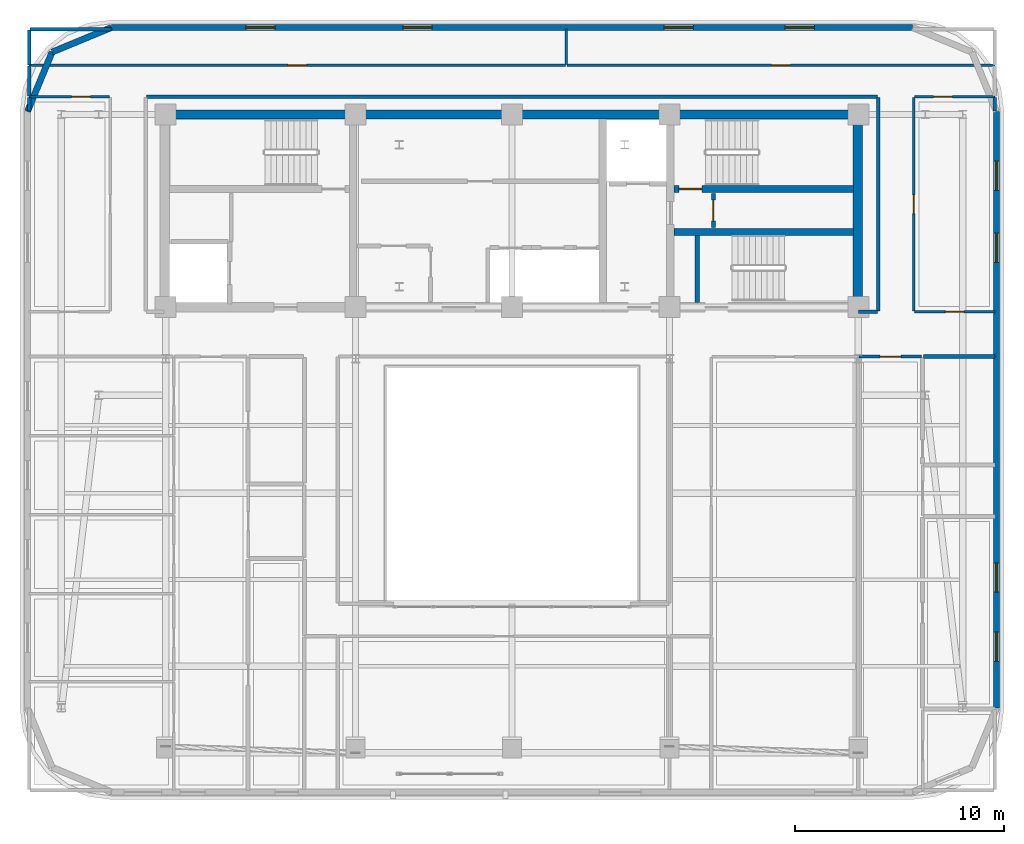
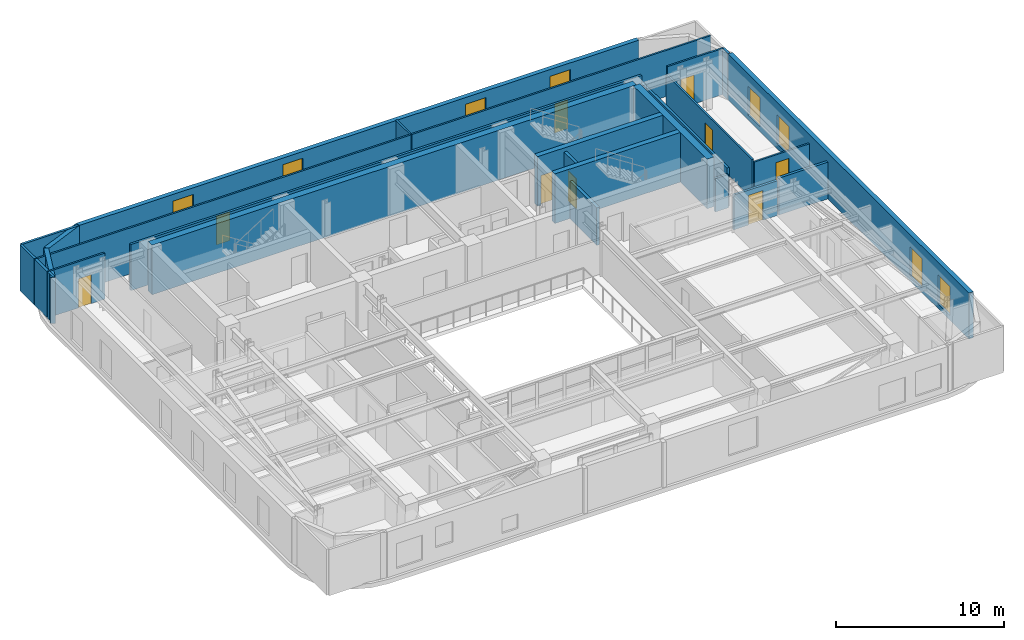
# One storey, part 9 of 14: 27 walls, 9 doors, 8 windows, 17 openings.
"""IFC4 building model written with IfcOpenShell, lengths in metres."""

from ifc_helpers import new_model, si_unit, direction, frame, frame_2d, origin, place, context, subcontext, project, spatial, rectangle, extrude, material, layer, layer_set, type_object, element, fill, save


model = new_model("IFC4")

# Units and contexts
model_context = context("Model", 3, precision=1e-05, world=origin(), true_north=direction((0.0, 1.0)))
body_context = subcontext(model_context, "Body", "Model", "MODEL_VIEW")
ifc_project = project(units=[si_unit("LENGTHUNIT", "METRE"), si_unit("AREAUNIT", "SQUARE_METRE"), si_unit("VOLUMEUNIT", "CUBIC_METRE"), si_unit("PLANEANGLEUNIT", "RADIAN"), si_unit("MASSUNIT", "GRAM", prefix="KILO")], contexts=[model_context])

# Site, building, storey
site_placement = place(None, origin())
site = spatial("IfcSite", under=ifc_project, at=site_placement, CompositionType="ELEMENT")
building_placement = place(site_placement, origin())
building = spatial("IfcBuilding", under=site, at=building_placement, Name="Zarnavel Station Tower", CompositionType="ELEMENT")
storey_placement = place(building_placement, frame((0.0, 0.0, 214.800048828125)))
storey = spatial("IfcBuildingStorey", under=building, at=storey_placement, Name="L58", CompositionType="ELEMENT", Elevation=214.800048828125)

# Wall, opening, door
ifc_material_1 = material(Name="Concrete C50/60", Category="concrete")
ifc_layer_1 = layer(ifc_material_1, 0.35009765625)
ifc_layer_set_1 = layer_set([ifc_layer_1], Name="CW_350")
wall_type_1 = type_object("IfcWallType", Name="CW_350", PredefinedType="SHEAR", material=ifc_layer_set_1)
wall_1_placement = place(storey_placement, frame((45.155029296875, 33.47998046875, 0.0), z_axis=(0.0, 0.0, 1.0), x_axis=(-1.0, 0.0, 0.0)))
wall_1 = element("IfcWall", 1, at=wall_1_placement, inside=storey, type_object=wall_type_1, Name="L58 Rear Core Shear Wall DIV-H2", PredefinedType="SHEAR", context=body_context, shape_type="SweptSolid", body=[
    extrude(rectangle(XDim=8.60009765625, YDim=0.35009765625, at=frame_2d((4.300048828125, 0.0))), origin(), (0.0, 0.0, 1.0), 3.599853515625),
])
opening_1_placement = place(wall_1_placement, frame((7.2548828125, 0.0, 0.0)))
opening_1 = element("IfcOpeningElement", 2, at=opening_1_placement, cuts=wall_1, Name="Opening FD01", PredefinedType="OPENING", context=body_context, shape_type="SweptSolid", body=[
    extrude(rectangle(XDim=1.10009765625, YDim=2.14990234375, at=frame_2d((0.550048828125, 1.074951171875))), frame((0.0, 0.18505859375, 0.0), z_axis=(0.0, -1.0, 0.0), x_axis=(1.0, 0.0, 0.0)), (0.0, 0.0, 1.0), 0.3701171875),
])
ifc_material_2 = material(Name="Painted Galvanised Steel and Hardwood Leaf", Category="steel")
door_type_1 = type_object("IfcDoorType", Name="ID_STAIR_1100", OperationType="NOTDEFINED", PredefinedType="DOOR", material=ifc_material_2)
door_1_placement = place(opening_1_placement, origin())
door_1 = element("IfcDoor", 3, at=door_1_placement, inside=storey, type_object=door_type_1, Name="L58 Stair ST2 Lobby Fire Door", OperationType="SINGLE_SWING_RIGHT", OverallHeight=2.14990234375, OverallWidth=1.10009765625, PredefinedType="DOOR", context=body_context, shape_type="SweptSolid", body=[
    extrude(rectangle(XDim=1.10009765625, YDim=2.14990234375, at=frame_2d((0.550048828125, 1.074951171875))), frame((0.0, 0.02490234375, 0.0), z_axis=(0.0, -1.0, 0.0), x_axis=(1.0, 0.0, 0.0)), (0.0, 0.0, 1.0), 0.050048828125),
])
fill(opening_1, door_1)

# Walls
wall_2_placement = place(storey_placement, frame((36.554931640625, 31.419921875, 0.0), z_axis=(0.0, 0.0, 1.0), x_axis=(1.0, 0.0, 0.0)))
element("IfcWall", 4, at=wall_2_placement, inside=storey, type_object=wall_type_1, Name="L58 Rear Core Shear Wall DIV-H3", PredefinedType="SHEAR", context=body_context, shape_type="SweptSolid", body=[
    extrude(rectangle(XDim=8.60009765625, YDim=0.35009765625, at=frame_2d((4.300048828125, 0.0))), origin(), (0.0, 0.0, 1.0), 3.599853515625),
])
ifc_material_3 = material(Name="Concrete C50/60", Category="concrete")
ifc_layer_2 = layer(ifc_material_3, 0.449951171875)
ifc_layer_set_2 = layer_set([ifc_layer_2], Name="CW_450")
wall_type_2 = type_object("IfcWallType", Name="CW_450", PredefinedType="SHEAR", material=ifc_layer_set_2)
wall_3_placement = place(storey_placement, frame((12.14990234375, 37.050048828125, 0.0), z_axis=(0.0, 0.0, 1.0), x_axis=(1.0, 0.0, 0.0)))
element("IfcWall", 5, at=wall_3_placement, inside=storey, type_object=wall_type_2, Name="L58 Rear Core Shear Wall N", PredefinedType="SHEAR", context=body_context, shape_type="SweptSolid", body=[
    extrude(rectangle(XDim=33.22998046875, YDim=0.449951171875, at=frame_2d((16.614990234375, 0.0))), origin(), (0.0, 0.0, 1.0), 3.599853515625),
])
wall_4_placement = place(storey_placement, frame((45.3798828125, 28.044921875, 0.0), z_axis=(0.0, 0.0, 1.0), x_axis=(0.0, 1.0, 0.0)))
element("IfcWall", 6, at=wall_4_placement, inside=storey, type_object=wall_type_2, Name="L58 Rear Core Shear Wall E", PredefinedType="SHEAR", context=body_context, shape_type="SweptSolid", body=[
    extrude(rectangle(XDim=8.780029296875, YDim=0.449951171875, at=frame_2d((4.39013671875, 0.0))), origin(), (0.0, 0.0, 1.0), 3.599853515625),
])

# Wall, openings, windows
ifc_material_4 = material(Name="Precast concrete C45/55 (Dark Basalt Finish)", Category="masonry")
ifc_layer_3 = layer(ifc_material_4, 0.300048828125)
ifc_layer_set_3 = layer_set([ifc_layer_3], Name="EW_BASALT_300")
wall_type_3 = type_object("IfcWallType", Name="EW_BASALT_300", PredefinedType="SOLIDWALL", material=ifc_layer_set_3)
wall_5_placement = place(storey_placement, frame((52.02001953125, 37.199951171875, 0.0), z_axis=(0.0, 0.0, 1.0), x_axis=(0.0, -1.0, 0.0)))
wall_5 = element("IfcWall", 7, at=wall_5_placement, inside=storey, type_object=wall_type_3, Name="L58 Exterior Basalt Masonry Frame Wall 03", PredefinedType="SOLIDWALL", context=body_context, shape_type="SweptSolid", body=[
    extrude(rectangle(XDim=28.599853515625, YDim=0.300048828125, at=frame_2d((14.2998046875, 0.0))), origin(), (0.0, 0.0, 1.0), 3.33984375),
])
opening_2_placement = place(wall_5_placement, frame((2.3798828125, 0.0, 0.340087890625)))
opening_2 = element("IfcOpeningElement", 8, at=opening_2_placement, cuts=wall_5, Name="Opening WN04", PredefinedType="OPENING", context=body_context, shape_type="SweptSolid", body=[
    extrude(rectangle(XDim=1.39990234375, YDim=2.10009765625, at=frame_2d((0.699951171875, 1.050048828125))), frame((0.0, 0.159912109375, 0.0), z_axis=(0.0, -1.0, 0.0), x_axis=(1.0, 0.0, 0.0)), (0.0, 0.0, 1.0), 0.320068359375),
])
opening_3_placement = place(wall_5_placement, frame((5.840087890625, 0.0, 0.340087890625)))
opening_3 = element("IfcOpeningElement", 9, at=opening_3_placement, cuts=wall_5, Name="Opening WN04", PredefinedType="OPENING", context=body_context, shape_type="SweptSolid", body=[
    extrude(rectangle(XDim=1.39990234375, YDim=2.10009765625, at=frame_2d((0.699951171875, 1.050048828125))), frame((0.0, 0.159912109375, 0.0), z_axis=(0.0, -1.0, 0.0), x_axis=(1.0, 0.0, 0.0)), (0.0, 0.0, 1.0), 0.320068359375),
])
opening_4_placement = place(wall_5_placement, frame((21.634765625, 0.0, 0.340087890625)))
opening_4 = element("IfcOpeningElement", 10, at=opening_4_placement, cuts=wall_5, Name="Opening WN04", PredefinedType="OPENING", context=body_context, shape_type="SweptSolid", body=[
    extrude(rectangle(XDim=1.39990234375, YDim=2.10009765625, at=frame_2d((0.699951171875, 1.050048828125))), frame((0.0, 0.159912109375, 0.0), z_axis=(0.0, -1.0, 0.0), x_axis=(1.0, 0.0, 0.0)), (0.0, 0.0, 1.0), 0.320068359375),
])
opening_5_placement = place(wall_5_placement, frame((24.957275390625, 0.0, 0.340087890625)))
opening_5 = element("IfcOpeningElement", 11, at=opening_5_placement, cuts=wall_5, Name="Opening WN04", PredefinedType="OPENING", context=body_context, shape_type="SweptSolid", body=[
    extrude(rectangle(XDim=1.39990234375, YDim=2.10009765625, at=frame_2d((0.699951171875, 1.050048828125))), frame((0.0, 0.159912109375, 0.0), z_axis=(0.0, -1.0, 0.0), x_axis=(1.0, 0.0, 0.0)), (0.0, 0.0, 1.0), 0.320068359375),
])
ifc_material_5 = material(Name="Thermally Broken Black Aluminium and Low-E Dark Glass", Category="aluminium")
window_type = type_object("IfcWindowType", Name="WN_1400x2100", PartitioningType="DOUBLE_PANEL_VERTICAL", PredefinedType="WINDOW", material=ifc_material_5)
window_1_placement = place(opening_2_placement, origin())
window_1 = element("IfcWindow", 12, at=window_1_placement, inside=storey, type_object=window_type, Name="L58 Recessed Facade Window 01", OverallHeight=2.10009765625, OverallWidth=1.39990234375, PartitioningType="SINGLE_PANEL", PredefinedType="WINDOW", context=body_context, shape_type="SweptSolid", body=[
    extrude(rectangle(XDim=1.39990234375, YDim=2.10009765625, at=frame_2d((0.699951171875, 1.050048828125))), frame((0.0, 0.030029296875, 0.0), z_axis=(0.0, -1.0, 0.0), x_axis=(1.0, 0.0, 0.0)), (0.0, 0.0, 1.0), 0.06005859375),
])
fill(opening_2, window_1)
window_2_placement = place(opening_3_placement, origin())
window_2 = element("IfcWindow", 13, at=window_2_placement, inside=storey, type_object=window_type, Name="L58 Recessed Facade Window 02", OverallHeight=2.10009765625, OverallWidth=1.39990234375, PartitioningType="SINGLE_PANEL", PredefinedType="WINDOW", context=body_context, shape_type="SweptSolid", body=[
    extrude(rectangle(XDim=1.39990234375, YDim=2.10009765625, at=frame_2d((0.699951171875, 1.050048828125))), frame((0.0, 0.030029296875, 0.0), z_axis=(0.0, -1.0, 0.0), x_axis=(1.0, 0.0, 0.0)), (0.0, 0.0, 1.0), 0.06005859375),
])
fill(opening_3, window_2)
window_3_placement = place(opening_4_placement, origin())
window_3 = element("IfcWindow", 14, at=window_3_placement, inside=storey, type_object=window_type, Name="L58 Recessed Facade Window 03", OverallHeight=2.10009765625, OverallWidth=1.39990234375, PartitioningType="SINGLE_PANEL", PredefinedType="WINDOW", context=body_context, shape_type="SweptSolid", body=[
    extrude(rectangle(XDim=1.39990234375, YDim=2.10009765625, at=frame_2d((0.699951171875, 1.050048828125))), frame((0.0, 0.030029296875, 0.0), z_axis=(0.0, -1.0, 0.0), x_axis=(1.0, 0.0, 0.0)), (0.0, 0.0, 1.0), 0.06005859375),
])
fill(opening_4, window_3)
window_4_placement = place(opening_5_placement, origin())
window_4 = element("IfcWindow", 15, at=window_4_placement, inside=storey, type_object=window_type, Name="L58 Recessed Facade Window 04", OverallHeight=2.10009765625, OverallWidth=1.39990234375, PartitioningType="SINGLE_PANEL", PredefinedType="WINDOW", context=body_context, shape_type="SweptSolid", body=[
    extrude(rectangle(XDim=1.39990234375, YDim=2.10009765625, at=frame_2d((0.699951171875, 1.050048828125))), frame((0.0, 0.030029296875, 0.0), z_axis=(0.0, -1.0, 0.0), x_axis=(1.0, 0.0, 0.0)), (0.0, 0.0, 1.0), 0.06005859375),
])
fill(opening_5, window_4)

wall_6_placement = place(storey_placement, frame((9.60009765625, 41.219970703125, 0.0), z_axis=(0.0, 0.0, 1.0), x_axis=(1.0, 0.0, 0.0)))
wall_6 = element("IfcWall", 16, at=wall_6_placement, inside=storey, type_object=wall_type_3, Name="L58 Exterior Basalt Masonry Frame Wall 06", PredefinedType="SOLIDWALL", context=body_context, shape_type="SweptSolid", body=[
    extrude(rectangle(XDim=38.39990234375, YDim=0.300048828125, at=frame_2d((19.199951171875, 0.0))), origin(), (0.0, 0.0, 1.0), 3.33984375),
])
opening_6_placement = place(wall_6_placement, frame((6.44677734375, 0.0, 0.75)))
opening_6 = element("IfcOpeningElement", 17, at=opening_6_placement, cuts=wall_6, Name="Opening WN04", PredefinedType="OPENING", context=body_context, shape_type="SweptSolid", body=[
    extrude(rectangle(XDim=1.39990234375, YDim=2.10009765625, at=frame_2d((0.699951171875, 1.050048828125))), frame((0.0, 0.159912109375, 0.0), z_axis=(0.0, -1.0, 0.0), x_axis=(1.0, 0.0, 0.0)), (0.0, 0.0, 1.0), 0.320068359375),
])
opening_7_placement = place(wall_6_placement, frame((13.973388671875, 0.0, 0.75)))
opening_7 = element("IfcOpeningElement", 18, at=opening_7_placement, cuts=wall_6, Name="Opening WN04", PredefinedType="OPENING", context=body_context, shape_type="SweptSolid", body=[
    extrude(rectangle(XDim=1.39990234375, YDim=2.10009765625, at=frame_2d((0.699951171875, 1.050048828125))), frame((0.0, 0.159912109375, 0.0), z_axis=(0.0, -1.0, 0.0), x_axis=(1.0, 0.0, 0.0)), (0.0, 0.0, 1.0), 0.320068359375),
])
opening_8_placement = place(wall_6_placement, frame((26.493408203125, 0.0, 0.75)))
opening_8 = element("IfcOpeningElement", 19, at=opening_8_placement, cuts=wall_6, Name="Opening WN04", PredefinedType="OPENING", context=body_context, shape_type="SweptSolid", body=[
    extrude(rectangle(XDim=1.39990234375, YDim=2.10009765625, at=frame_2d((0.699951171875, 1.050048828125))), frame((0.0, 0.159912109375, 0.0), z_axis=(0.0, -1.0, 0.0), x_axis=(1.0, 0.0, 0.0)), (0.0, 0.0, 1.0), 0.320068359375),
])
opening_9_placement = place(wall_6_placement, frame((32.28662109375, 0.0, 0.75)))
opening_9 = element("IfcOpeningElement", 20, at=opening_9_placement, cuts=wall_6, Name="Opening WN04", PredefinedType="OPENING", context=body_context, shape_type="SweptSolid", body=[
    extrude(rectangle(XDim=1.39990234375, YDim=2.10009765625, at=frame_2d((0.699951171875, 1.050048828125))), frame((0.0, 0.159912109375, 0.0), z_axis=(0.0, -1.0, 0.0), x_axis=(1.0, 0.0, 0.0)), (0.0, 0.0, 1.0), 0.320068359375),
])
window_5_placement = place(opening_6_placement, origin())
window_5 = element("IfcWindow", 21, at=window_5_placement, inside=storey, type_object=window_type, Name="L58 Recessed Facade Window 01", OverallHeight=2.10009765625, OverallWidth=1.39990234375, PartitioningType="SINGLE_PANEL", PredefinedType="WINDOW", context=body_context, shape_type="SweptSolid", body=[
    extrude(rectangle(XDim=1.39990234375, YDim=2.10009765625, at=frame_2d((0.699951171875, 1.050048828125))), frame((0.0, 0.030029296875, 0.0), z_axis=(0.0, -1.0, 0.0), x_axis=(1.0, 0.0, 0.0)), (0.0, 0.0, 1.0), 0.06005859375),
])
fill(opening_6, window_5)
window_6_placement = place(opening_7_placement, origin())
window_6 = element("IfcWindow", 22, at=window_6_placement, inside=storey, type_object=window_type, Name="L58 Recessed Facade Window 02", OverallHeight=2.10009765625, OverallWidth=1.39990234375, PartitioningType="SINGLE_PANEL", PredefinedType="WINDOW", context=body_context, shape_type="SweptSolid", body=[
    extrude(rectangle(XDim=1.39990234375, YDim=2.10009765625, at=frame_2d((0.699951171875, 1.050048828125))), frame((0.0, 0.030029296875, 0.0), z_axis=(0.0, -1.0, 0.0), x_axis=(1.0, 0.0, 0.0)), (0.0, 0.0, 1.0), 0.06005859375),
])
fill(opening_7, window_6)
window_7_placement = place(opening_8_placement, origin())
window_7 = element("IfcWindow", 23, at=window_7_placement, inside=storey, type_object=window_type, Name="L58 Recessed Facade Window 03", OverallHeight=2.10009765625, OverallWidth=1.39990234375, PartitioningType="SINGLE_PANEL", PredefinedType="WINDOW", context=body_context, shape_type="SweptSolid", body=[
    extrude(rectangle(XDim=1.39990234375, YDim=2.10009765625, at=frame_2d((0.699951171875, 1.050048828125))), frame((0.0, 0.030029296875, 0.0), z_axis=(0.0, -1.0, 0.0), x_axis=(1.0, 0.0, 0.0)), (0.0, 0.0, 1.0), 0.06005859375),
])
fill(opening_8, window_7)
window_8_placement = place(opening_9_placement, origin())
window_8 = element("IfcWindow", 24, at=window_8_placement, inside=storey, type_object=window_type, Name="L58 Recessed Facade Window 04", OverallHeight=2.10009765625, OverallWidth=1.39990234375, PartitioningType="SINGLE_PANEL", PredefinedType="WINDOW", context=body_context, shape_type="SweptSolid", body=[
    extrude(rectangle(XDim=1.39990234375, YDim=2.10009765625, at=frame_2d((0.699951171875, 1.050048828125))), frame((0.0, 0.030029296875, 0.0), z_axis=(0.0, -1.0, 0.0), x_axis=(1.0, 0.0, 0.0)), (0.0, 0.0, 1.0), 0.06005859375),
])
fill(opening_9, window_8)

# Walls
wall_7_placement = place(storey_placement, frame((6.75732421875, 40.04248046875, 0.0), z_axis=(0.0, 0.0, 1.0), x_axis=(0.923882414032, 0.382676475685, 0.0)))
element("IfcWall", 25, at=wall_7_placement, inside=storey, type_object=wall_type_3, Name="L58 Exterior Basalt Masonry Frame Wall 07", PredefinedType="SOLIDWALL", context=body_context, shape_type="SweptSolid", body=[
    extrude(rectangle(XDim=3.076904296875, YDim=0.300048828125, at=frame_2d((1.53857421875, 0.0))), origin(), (0.0, 0.0, 1.0), 3.33984375),
])
wall_8_placement = place(storey_placement, frame((5.580078125, 37.199951171875, 0.0), z_axis=(0.0, 0.0, 1.0), x_axis=(0.382636798336, 0.92389884758, 0.0)))
element("IfcWall", 26, at=wall_8_placement, inside=storey, type_object=wall_type_3, Name="L58 Exterior Basalt Masonry Frame Wall 08", PredefinedType="SOLIDWALL", context=body_context, shape_type="SweptSolid", body=[
    extrude(rectangle(XDim=3.07666015625, YDim=0.300048828125, at=frame_2d((1.538330078125, 0.0))), origin(), (0.0, 0.0, 1.0), 3.33984375),
])

# Wall, opening, door
ifc_material_6 = material(Name="Gypsum Twin-Stud Acoustic Fire Partition", Category="concrete")
ifc_layer_4 = layer(ifc_material_6, 0.159912109375)
ifc_layer_set_4 = layer_set([ifc_layer_4], Name="PT_DEMISE_160")
wall_type_4 = type_object("IfcWallType", Name="PT_DEMISE_160", PredefinedType="PARTITIONING", material=ifc_layer_set_4)
wall_9_placement = place(storey_placement, frame((45.43994140625, 25.449951171875, 0.0), z_axis=(0.0, 0.0, 1.0), x_axis=(1.0, 0.0, 0.0)))
wall_9 = element("IfcWall", 27, at=wall_9_placement, inside=storey, type_object=wall_type_4, Name="L58 Partition COR-S-UE1LV", PredefinedType="PARTITIONING", context=body_context, shape_type="SweptSolid", body=[
    extrude(rectangle(XDim=2.994140625, YDim=0.159912109375, at=frame_2d((1.4970703125, 0.0))), origin(), (0.0, 0.0, 1.0), 2.52001953125),
])
opening_10_placement = place(wall_9_placement, frame((0.9970703125, 0.0, 0.0)))
opening_10 = element("IfcOpeningElement", 28, at=opening_10_placement, cuts=wall_9, Name="Opening FD02", PredefinedType="OPENING", context=body_context, shape_type="SweptSolid", body=[
    extrude(rectangle(XDim=1.0, YDim=2.14990234375, at=frame_2d((0.5, 1.074951171875))), frame((0.0, 0.08984375, 0.0), z_axis=(0.0, -1.0, 0.0), x_axis=(1.0, 0.0, 0.0)), (0.0, 0.0, 1.0), 0.179931640625),
])
ifc_material_7 = material(Name="Painted Galvanised Steel and Hardwood Leaf", Category="steel")
door_type_2 = type_object("IfcDoorType", Name="ID_ENTRY_1000", OperationType="NOTDEFINED", PredefinedType="DOOR", material=ifc_material_7)
door_2_placement = place(opening_10_placement, origin())
door_2 = element("IfcDoor", 29, at=door_2_placement, inside=storey, type_object=door_type_2, Name="L58 Door COR-S-UE1LV", OperationType="SINGLE_SWING_RIGHT", OverallHeight=2.14990234375, OverallWidth=1.0, PredefinedType="DOOR", context=body_context, shape_type="SweptSolid", body=[
    extrude(rectangle(XDim=1.0, YDim=2.14990234375, at=frame_2d((0.5, 1.074951171875))), frame((0.0, 0.02490234375, 0.0), z_axis=(0.0, -1.0, 0.0), x_axis=(1.0, 0.0, 0.0)), (0.0, 0.0, 1.0), 0.050048828125),
])
fill(opening_10, door_2)

# Walls
wall_10_placement = place(storey_placement, frame((45.409912109375, 27.60009765625, 0.0), z_axis=(0.0, 0.0, 1.0), x_axis=(1.0, 0.0, 0.0)))
element("IfcWall", 30, at=wall_10_placement, inside=storey, type_object=wall_type_4, Name="L58 Enclosure Wall COR-S", PredefinedType="PARTITIONING", context=body_context, shape_type="SweptSolid", body=[
    extrude(rectangle(XDim=0.91015625, YDim=0.159912109375, at=frame_2d((0.455078125, 0.0))), origin(), (0.0, 0.0, 1.0), 2.409912109375),
])
wall_11_placement = place(storey_placement, frame((46.35009765625, 27.6298828125, 0.0), z_axis=(0.0, 0.0, 1.0), x_axis=(0.0, 1.0, 0.0)))
element("IfcWall", 31, at=wall_11_placement, inside=storey, type_object=wall_type_4, Name="L58 Enclosure Wall COR-E", PredefinedType="PARTITIONING", context=body_context, shape_type="SweptSolid", body=[
    extrude(rectangle(XDim=10.240234375, YDim=0.159912109375, at=frame_2d((5.1201171875, 0.0))), origin(), (0.0, 0.0, 1.0), 2.820068359375),
])
wall_12_placement = place(storey_placement, frame((11.280029296875, 37.89990234375, 0.0), z_axis=(0.0, 0.0, 1.0), x_axis=(1.0, 0.0, 0.0)))
element("IfcWall", 32, at=wall_12_placement, inside=storey, type_object=wall_type_4, Name="L58 Enclosure Wall COR-N", PredefinedType="PARTITIONING", context=body_context, shape_type="SweptSolid", body=[
    extrude(rectangle(XDim=35.0400390625, YDim=0.159912109375, at=frame_2d((17.52001953125, 0.0))), origin(), (0.0, 0.0, 1.0), 3.33984375),
])
wall_13_placement = place(storey_placement, frame((5.659912109375, 37.929931640625, 0.0), z_axis=(0.0, 0.0, 1.0), x_axis=(0.0, 1.0, 0.0)))
element("IfcWall", 33, at=wall_13_placement, inside=storey, type_object=wall_type_4, Name="L58 Enclosure Wall COR-N", PredefinedType="PARTITIONING", context=body_context, shape_type="SweptSolid", body=[
    extrude(rectangle(XDim=1.440185546875, YDim=0.159912109375, at=frame_2d((0.72021484375, 0.0))), origin(), (0.0, 0.0, 1.0), 3.33984375),
])
for number, where, z_axis, x_axis, name in (
    (34, (5.659912109375, 37.22998046875, 0.0), (0.0, 0.0, 1.0), (0.0, 1.0, 0.0), "L58 Enclosure Wall FNW"),
    (35, (51.93994140625, 37.22998046875, 0.0), (0.0, 0.0, 1.0), (0.0, 1.0, 0.0), "L58 Enclosure Wall FNE"),
):
    element("IfcWall", number, at=place(storey_placement, frame(where, z_axis=z_axis, x_axis=x_axis)), inside=storey, type_object=wall_type_4, Name=name, PredefinedType="PARTITIONING", context=body_context, shape_type="SweptSolid", body=[
        extrude(rectangle(XDim=0.64013671875, YDim=0.159912109375, at=frame_2d((0.320068359375, 0.0))), origin(), (0.0, 0.0, 1.0), 3.33984375),
    ])
wall_14_placement = place(storey_placement, frame((5.68994140625, 41.139892578125, 0.0), z_axis=(0.0, 0.0, 1.0), x_axis=(1.0, 0.0, 0.0)))
element("IfcWall", 36, at=wall_14_placement, inside=storey, type_object=wall_type_4, Name="L58 Enclosure Wall NGYM", PredefinedType="PARTITIONING", context=body_context, shape_type="SweptSolid", body=[
    extrude(rectangle(XDim=3.880126953125, YDim=0.159912109375, at=frame_2d((1.93994140625, 0.0))), origin(), (0.0, 0.0, 1.0), 3.33984375),
])
wall_15_placement = place(storey_placement, frame((5.659912109375, 39.429931640625, 0.0), z_axis=(0.0, 0.0, 1.0), x_axis=(0.0, 1.0, 0.0)))
element("IfcWall", 37, at=wall_15_placement, inside=storey, type_object=wall_type_4, Name="L58 Enclosure Wall NGYM", PredefinedType="PARTITIONING", context=body_context, shape_type="SweptSolid", body=[
    extrude(rectangle(XDim=1.68017578125, YDim=0.159912109375, at=frame_2d((0.840087890625, 0.0))), origin(), (0.0, 0.0, 1.0), 3.33984375),
])

# Wall, opening, door
ifc_material_8 = material(Name="Gypsum Metal-Stud Interior Partition", Category="concrete")
ifc_layer_5 = layer(ifc_material_8, 0.1201171875)
ifc_layer_set_5 = layer_set([ifc_layer_5], Name="PT_ROOM_120")
wall_type_5 = type_object("IfcWallType", Name="PT_ROOM_120", PredefinedType="PARTITIONING", material=ifc_layer_set_5)
wall_16_placement = place(storey_placement, frame((48.090087890625, 27.60009765625, 0.0), z_axis=(0.0, 0.0, 1.0), x_axis=(1.0, 0.0, 0.0)))
wall_16 = element("IfcWall", 38, at=wall_16_placement, inside=storey, type_object=wall_type_5, Name="L58 Partition COR-S-FNE", PredefinedType="PARTITIONING", context=body_context, shape_type="SweptSolid", body=[
    extrude(rectangle(XDim=3.849853515625, YDim=0.1201171875, at=frame_2d((1.9248046875, 0.0))), origin(), (0.0, 0.0, 1.0), 2.669921875),
])
opening_11_placement = place(wall_16_placement, frame((1.47509765625, 0.0, 0.0)))
opening_11 = element("IfcOpeningElement", 39, at=opening_11_placement, cuts=wall_16, Name="Opening ID01", PredefinedType="OPENING", context=body_context, shape_type="SweptSolid", body=[
    extrude(rectangle(XDim=0.89990234375, YDim=2.10009765625, at=frame_2d((0.449951171875, 1.050048828125))), frame((0.0, 0.070068359375, 0.0), z_axis=(0.0, -1.0, 0.0), x_axis=(1.0, 0.0, 0.0)), (0.0, 0.0, 1.0), 0.14013671875),
])
ifc_material_9 = material(Name="Painted Galvanised Steel and Hardwood Leaf", Category="steel")
door_type_3 = type_object("IfcDoorType", Name="ID_ROOM_900", OperationType="NOTDEFINED", PredefinedType="DOOR", material=ifc_material_9)
door_3_placement = place(opening_11_placement, origin())
door_3 = element("IfcDoor", 40, at=door_3_placement, inside=storey, type_object=door_type_3, Name="L58 Door COR-S-FNE", OperationType="SINGLE_SWING_LEFT", OverallHeight=2.10009765625, OverallWidth=0.89990234375, PredefinedType="DOOR", context=body_context, shape_type="SweptSolid", body=[
    extrude(rectangle(XDim=0.89990234375, YDim=2.10009765625, at=frame_2d((0.449951171875, 1.050048828125))), frame((0.0, 0.02490234375, 0.0), z_axis=(0.0, -1.0, 0.0), x_axis=(1.0, 0.0, 0.0)), (0.0, 0.0, 1.0), 0.050048828125),
])
fill(opening_11, door_3)

wall_17_placement = place(storey_placement, frame((48.050048828125, 27.639892578125, 0.0), z_axis=(0.0, 0.0, 1.0), x_axis=(0.0, 1.0, 0.0)))
wall_17 = element("IfcWall", 41, at=wall_17_placement, inside=storey, type_object=wall_type_5, Name="L58 Partition COR-E-FNE", PredefinedType="PARTITIONING", context=body_context, shape_type="SweptSolid", body=[
    extrude(rectangle(XDim=10.22021484375, YDim=0.1201171875, at=frame_2d((5.110107421875, 0.0))), origin(), (0.0, 0.0, 1.0), 2.820068359375),
])
opening_12_placement = place(wall_17_placement, frame((4.659912109375, 0.0, 0.0)))
opening_12 = element("IfcOpeningElement", 42, at=opening_12_placement, cuts=wall_17, Name="Opening ID01", PredefinedType="OPENING", context=body_context, shape_type="SweptSolid", body=[
    extrude(rectangle(XDim=0.89990234375, YDim=2.10009765625, at=frame_2d((0.449951171875, 1.050048828125))), frame((0.0, 0.070068359375, 0.0), z_axis=(0.0, -1.0, 0.0), x_axis=(1.0, 0.0, 0.0)), (0.0, 0.0, 1.0), 0.14013671875),
])
door_4_placement = place(opening_12_placement, origin())
door_4 = element("IfcDoor", 43, at=door_4_placement, inside=storey, type_object=door_type_3, Name="L58 Door COR-E-FNE", OperationType="SINGLE_SWING_RIGHT", OverallHeight=2.10009765625, OverallWidth=0.89990234375, PredefinedType="DOOR", context=body_context, shape_type="SweptSolid", body=[
    extrude(rectangle(XDim=0.89990234375, YDim=2.10009765625, at=frame_2d((0.449951171875, 1.050048828125))), frame((0.0, 0.02490234375, 0.0), z_axis=(0.0, -1.0, 0.0), x_axis=(1.0, 0.0, 0.0)), (0.0, 0.0, 1.0), 0.050048828125),
])
fill(opening_12, door_4)

wall_18_placement = place(storey_placement, frame((5.659912109375, 37.89990234375, 0.0), z_axis=(0.0, 0.0, 1.0), x_axis=(1.0, 0.0, 0.0)))
wall_18 = element("IfcWall", 44, at=wall_18_placement, inside=storey, type_object=wall_type_5, Name="L58 Partition COR-N-FNW", PredefinedType="PARTITIONING", context=body_context, shape_type="SweptSolid", body=[
    extrude(rectangle(XDim=3.85009765625, YDim=0.1201171875, at=frame_2d((1.925048828125, 0.0))), origin(), (0.0, 0.0, 1.0), 3.33984375),
])
opening_13_placement = place(wall_18_placement, frame((2.03125, 0.0, 0.0)))
opening_13 = element("IfcOpeningElement", 45, at=opening_13_placement, cuts=wall_18, Name="Opening ID01", PredefinedType="OPENING", context=body_context, shape_type="SweptSolid", body=[
    extrude(rectangle(XDim=0.89990234375, YDim=2.10009765625, at=frame_2d((0.449951171875, 1.050048828125))), frame((0.0, 0.070068359375, 0.0), z_axis=(0.0, -1.0, 0.0), x_axis=(1.0, 0.0, 0.0)), (0.0, 0.0, 1.0), 0.14013671875),
])
door_5_placement = place(opening_13_placement, origin())
door_5 = element("IfcDoor", 46, at=door_5_placement, inside=storey, type_object=door_type_3, Name="L58 Door COR-N-FNW", OperationType="SINGLE_SWING_LEFT", OverallHeight=2.10009765625, OverallWidth=0.89990234375, PredefinedType="DOOR", context=body_context, shape_type="SweptSolid", body=[
    extrude(rectangle(XDim=0.89990234375, YDim=2.10009765625, at=frame_2d((0.449951171875, 1.050048828125))), frame((0.0, 0.02490234375, 0.0), z_axis=(0.0, -1.0, 0.0), x_axis=(1.0, 0.0, 0.0)), (0.0, 0.0, 1.0), 0.050048828125),
])
fill(opening_13, door_5)

wall_19_placement = place(storey_placement, frame((48.090087890625, 37.89990234375, 0.0), z_axis=(0.0, 0.0, 1.0), x_axis=(1.0, 0.0, 0.0)))
wall_19 = element("IfcWall", 47, at=wall_19_placement, inside=storey, type_object=wall_type_5, Name="L58 Partition COR-N-FNE", PredefinedType="PARTITIONING", context=body_context, shape_type="SweptSolid", body=[
    extrude(rectangle(XDim=3.849853515625, YDim=0.1201171875, at=frame_2d((1.9248046875, 0.0))), origin(), (0.0, 0.0, 1.0), 3.33984375),
])
opening_14_placement = place(wall_19_placement, frame((0.918701171875, 0.0, 0.0)))
opening_14 = element("IfcOpeningElement", 48, at=opening_14_placement, cuts=wall_19, Name="Opening ID01", PredefinedType="OPENING", context=body_context, shape_type="SweptSolid", body=[
    extrude(rectangle(XDim=0.89990234375, YDim=2.10009765625, at=frame_2d((0.449951171875, 1.050048828125))), frame((0.0, 0.070068359375, 0.0), z_axis=(0.0, -1.0, 0.0), x_axis=(1.0, 0.0, 0.0)), (0.0, 0.0, 1.0), 0.14013671875),
])
door_6_placement = place(opening_14_placement, origin())
door_6 = element("IfcDoor", 49, at=door_6_placement, inside=storey, type_object=door_type_3, Name="L58 Door COR-N-FNE", OperationType="SINGLE_SWING_RIGHT", OverallHeight=2.10009765625, OverallWidth=0.89990234375, PredefinedType="DOOR", context=body_context, shape_type="SweptSolid", body=[
    extrude(rectangle(XDim=0.89990234375, YDim=2.10009765625, at=frame_2d((0.449951171875, 1.050048828125))), frame((0.0, 0.02490234375, 0.0), z_axis=(0.0, -1.0, 0.0), x_axis=(1.0, 0.0, 0.0)), (0.0, 0.0, 1.0), 0.050048828125),
])
fill(opening_14, door_6)

wall_20_placement = place(storey_placement, frame((5.659912109375, 39.39990234375, 0.0), z_axis=(0.0, 0.0, 1.0), x_axis=(1.0, 0.0, 0.0)))
wall_20 = element("IfcWall", 50, at=wall_20_placement, inside=storey, type_object=wall_type_5, Name="L58 Partition COR-N-NGYM", PredefinedType="PARTITIONING", context=body_context, shape_type="SweptSolid", body=[
    extrude(rectangle(XDim=25.7001953125, YDim=0.1201171875, at=frame_2d((12.85009765625, 0.0))), origin(), (0.0, 0.0, 1.0), 3.33984375),
])
opening_15_placement = place(wall_20_placement, frame((12.39990234375, 0.0, 0.0)))
opening_15 = element("IfcOpeningElement", 51, at=opening_15_placement, cuts=wall_20, Name="Opening ID01", PredefinedType="OPENING", context=body_context, shape_type="SweptSolid", body=[
    extrude(rectangle(XDim=0.89990234375, YDim=2.10009765625, at=frame_2d((0.449951171875, 1.050048828125))), frame((0.0, 0.070068359375, 0.0), z_axis=(0.0, -1.0, 0.0), x_axis=(1.0, 0.0, 0.0)), (0.0, 0.0, 1.0), 0.14013671875),
])
door_7_placement = place(opening_15_placement, origin())
door_7 = element("IfcDoor", 52, at=door_7_placement, inside=storey, type_object=door_type_3, Name="L58 Door COR-N-NGYM", OperationType="SINGLE_SWING_LEFT", OverallHeight=2.10009765625, OverallWidth=0.89990234375, PredefinedType="DOOR", context=body_context, shape_type="SweptSolid", body=[
    extrude(rectangle(XDim=0.89990234375, YDim=2.10009765625, at=frame_2d((0.449951171875, 1.050048828125))), frame((0.0, 0.02490234375, 0.0), z_axis=(0.0, -1.0, 0.0), x_axis=(1.0, 0.0, 0.0)), (0.0, 0.0, 1.0), 0.050048828125),
])
fill(opening_15, door_7)

wall_21_placement = place(storey_placement, frame((31.43994140625, 39.39990234375, 0.0), z_axis=(0.0, 0.0, 1.0), x_axis=(1.0, 0.0, 0.0)))
wall_21 = element("IfcWall", 53, at=wall_21_placement, inside=storey, type_object=wall_type_5, Name="L58 Partition COR-N-NBRD", PredefinedType="PARTITIONING", context=body_context, shape_type="SweptSolid", body=[
    extrude(rectangle(XDim=20.5, YDim=0.1201171875, at=frame_2d((10.25, 0.0))), origin(), (0.0, 0.0, 1.0), 3.33984375),
])
opening_16_placement = place(wall_21_placement, frame((9.800048828125, 0.0, 0.0)))
opening_16 = element("IfcOpeningElement", 54, at=opening_16_placement, cuts=wall_21, Name="Opening ID01", PredefinedType="OPENING", context=body_context, shape_type="SweptSolid", body=[
    extrude(rectangle(XDim=0.89990234375, YDim=2.10009765625, at=frame_2d((0.449951171875, 1.050048828125))), frame((0.0, 0.070068359375, 0.0), z_axis=(0.0, -1.0, 0.0), x_axis=(1.0, 0.0, 0.0)), (0.0, 0.0, 1.0), 0.14013671875),
])
door_8_placement = place(opening_16_placement, origin())
door_8 = element("IfcDoor", 55, at=door_8_placement, inside=storey, type_object=door_type_3, Name="L58 Door COR-N-NBRD", OperationType="SINGLE_SWING_RIGHT", OverallHeight=2.10009765625, OverallWidth=0.89990234375, PredefinedType="DOOR", context=body_context, shape_type="SweptSolid", body=[
    extrude(rectangle(XDim=0.89990234375, YDim=2.10009765625, at=frame_2d((0.449951171875, 1.050048828125))), frame((0.0, 0.02490234375, 0.0), z_axis=(0.0, -1.0, 0.0), x_axis=(1.0, 0.0, 0.0)), (0.0, 0.0, 1.0), 0.050048828125),
])
fill(opening_16, door_8)

# Walls
wall_22_placement = place(storey_placement, frame((31.39990234375, 39.43994140625, 0.0), z_axis=(0.0, 0.0, 1.0), x_axis=(0.0, 1.0, 0.0)))
element("IfcWall", 56, at=wall_22_placement, inside=storey, type_object=wall_type_5, Name="L58 Partition NGYM-NBRD", PredefinedType="PARTITIONING", context=body_context, shape_type="SweptSolid", body=[
    extrude(rectangle(XDim=1.699951171875, YDim=0.1201171875, at=frame_2d((0.85009765625, 0.0))), origin(), (0.0, 0.0, 1.0), 3.33984375),
])
ifc_material_10 = material(Name="Precast concrete C45/55 (Fire Shaft Blockwork)", Category="masonry")
ifc_layer_6 = layer(ifc_material_10, 0.199951171875)
ifc_layer_set_6 = layer_set([ifc_layer_6], Name="PT_SHAFT_200")
wall_type_6 = type_object("IfcWallType", Name="PT_SHAFT_200", PredefinedType="PARTITIONING", material=ifc_layer_set_6)
wall_23_placement = place(storey_placement, frame((37.679931640625, 28.044921875, 0.0), z_axis=(0.0, 0.0, 1.0), x_axis=(0.0, 1.0, 0.0)))
element("IfcWall", 57, at=wall_23_placement, inside=storey, type_object=wall_type_6, Name="L58 Stair ST3 West Shaft Wall", PredefinedType="PARTITIONING", context=body_context, shape_type="SweptSolid", body=[
    extrude(rectangle(XDim=3.205078125, YDim=0.199951171875, at=frame_2d((1.6025390625, 0.0))), origin(), (0.0, 0.0, 1.0), 2.719970703125),
])

# Wall, opening, door
wall_24_placement = place(storey_placement, frame((38.449951171875, 31.639892578125, 0.0), z_axis=(0.0, 0.0, 1.0), x_axis=(0.0, 1.0, 0.0)))
wall_24 = element("IfcWall", 58, at=wall_24_placement, inside=storey, type_object=wall_type_6, Name="L58 Partition ESTV-CEA", PredefinedType="PARTITIONING", context=body_context, shape_type="SweptSolid", body=[
    extrude(rectangle(XDim=1.6201171875, YDim=0.199951171875, at=frame_2d((0.81005859375, 0.0))), origin(), (0.0, 0.0, 1.0), 3.33984375),
])
opening_17_placement = place(wall_24_placement, frame((0.31005859375, 0.0, 0.0)))
opening_17 = element("IfcOpeningElement", 59, at=opening_17_placement, cuts=wall_24, Name="Opening FD02", PredefinedType="OPENING", context=body_context, shape_type="SweptSolid", body=[
    extrude(rectangle(XDim=1.0, YDim=2.14990234375, at=frame_2d((0.5, 1.074951171875))), frame((0.0, 0.10986328125, 0.0), z_axis=(0.0, -1.0, 0.0), x_axis=(1.0, 0.0, 0.0)), (0.0, 0.0, 1.0), 0.219970703125),
])
door_9_placement = place(opening_17_placement, origin())
door_9 = element("IfcDoor", 60, at=door_9_placement, inside=storey, type_object=door_type_2, Name="L58 Door ESTV-CEA", OperationType="SINGLE_SWING_RIGHT", OverallHeight=2.14990234375, OverallWidth=1.0, PredefinedType="DOOR", context=body_context, shape_type="SweptSolid", body=[
    extrude(rectangle(XDim=1.0, YDim=2.14990234375, at=frame_2d((0.5, 1.074951171875))), frame((0.0, 0.02490234375, 0.0), z_axis=(0.0, -1.0, 0.0), x_axis=(1.0, 0.0, 0.0)), (0.0, 0.0, 1.0), 0.050048828125),
])
fill(opening_17, door_9)

# Wall
ifc_material_11 = material(Name="Moisture-Resistant Plumbing Chase Wall", Category="concrete")
ifc_layer_7 = layer(ifc_material_11, 0.179931640625)
ifc_layer_set_7 = layer_set([ifc_layer_7], Name="PW_PLUMB_180")
wall_type_7 = type_object("IfcWallType", Name="PW_PLUMB_180", PredefinedType="PLUMBINGWALL", material=ifc_layer_set_7)
wall_25_placement = place(storey_placement, frame((48.513916015625, 25.449951171875, 0.0), z_axis=(0.0, 0.0, 1.0), x_axis=(1.0, 0.0, 0.0)))
element("IfcWall", 61, at=wall_25_placement, inside=storey, type_object=wall_type_7, Name="L58 Partition COR-S-UE1BA", PredefinedType="PLUMBINGWALL", context=body_context, shape_type="SweptSolid", body=[
    extrude(rectangle(XDim=3.426025390625, YDim=0.179931640625, at=frame_2d((1.712890625, 0.0))), origin(), (0.0, 0.0, 1.0), 2.669921875),
])

save(model, "model.ifc")
